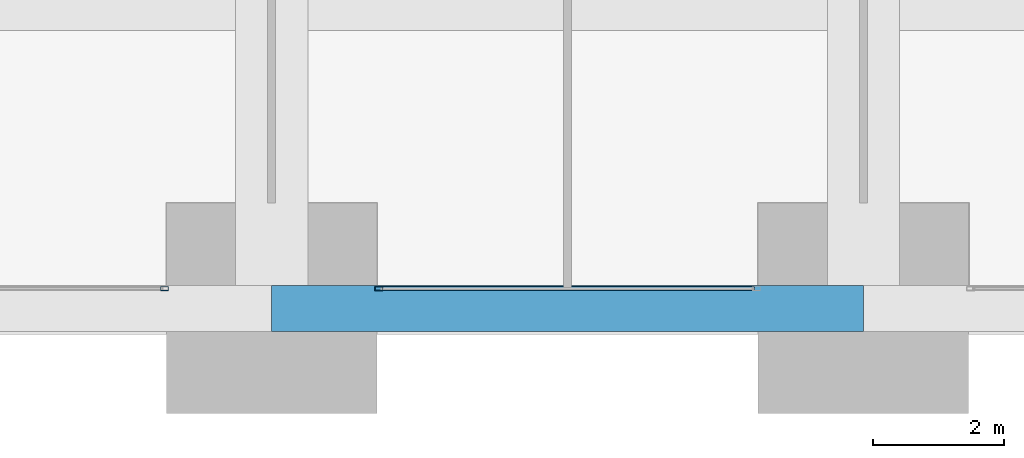
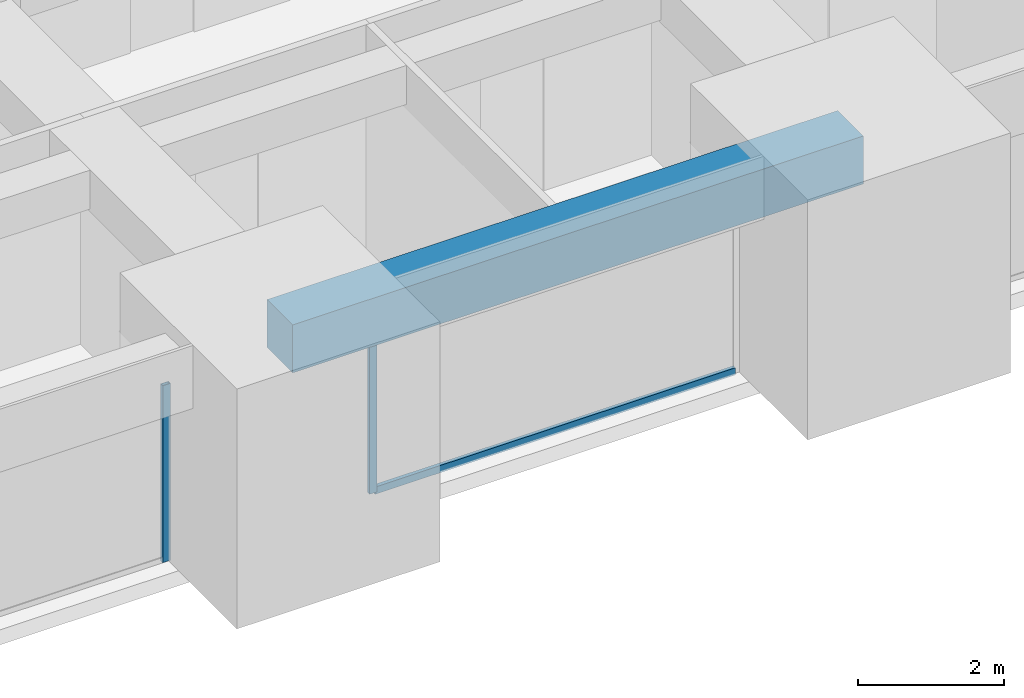
# One storey, part 9 of 43: 3 members, 1 beam, 2 elements without a shape of their own.
"""IFC4 building model written with IfcOpenShell, lengths in metres."""

from ifc_helpers import new_model, si_unit, direction, frame, origin, origin_2d, place, context, subcontext, project, spatial, rectangle, hollow_rectangle, extrude, material, material_profile, profile_set, type_object, element, aggregate, save


model = new_model("IFC4")

# Units and contexts
model_context = context("Model", 3, precision=1e-05, world=origin(), true_north=direction((0.0, 1.0)))
body_context = subcontext(model_context, "Body", "Model", "MODEL_VIEW")
ifc_project = project(units=[si_unit("LENGTHUNIT", "METRE"), si_unit("AREAUNIT", "SQUARE_METRE"), si_unit("VOLUMEUNIT", "CUBIC_METRE"), si_unit("PLANEANGLEUNIT", "RADIAN"), si_unit("MASSUNIT", "GRAM", prefix="KILO")], contexts=[model_context])

# Site, building, storey
site_placement = place(None, origin())
site = spatial("IfcSite", under=ifc_project, at=site_placement, CompositionType="ELEMENT")
building_placement = place(site_placement, origin())
building = spatial("IfcBuilding", under=site, at=building_placement, Name="Zorevar Civic Tower", CompositionType="ELEMENT")
storey_placement = place(building_placement, frame((0.0, 0.0, 243.39990234375)))
storey = spatial("IfcBuildingStorey", under=building, at=storey_placement, Name="L59", CompositionType="ELEMENT", Elevation=243.39990234375)

# Curtain wall, member
ifc_material_1 = material(Name="Dark grey solar-control glass in black aluminium frame", Category="aluminium")
curtain_wall_type = type_object("IfcCurtainWallType", Name="Curtain wall CW5 top zone", PredefinedType="NOTDEFINED", material=ifc_material_1)
curtain_wall_1_placement = place(storey_placement, origin())
curtain_wall_1 = element("IfcCurtainWall", 1, at=curtain_wall_1_placement, inside=storey, type_object=curtain_wall_type, Name="CW5 L59", PredefinedType="NOTDEFINED")
ifc_material_2 = material(Name="Aluminium, black anodised", Category="aluminium")
ifc_material_profile_1 = material_profile(ifc_material_2, hollow_rectangle(XDim=0.06005859375, YDim=0.1201171875, WallThickness=0.0029296875, at=origin_2d()), Name="AL 120x60x3")
ifc_profile_set_1 = profile_set([ifc_material_profile_1], Name="Aluminium, black anodised")
member_type_1 = type_object("IfcMemberType", Name="CW5 mullion AL 120x60x3", PredefinedType="MULLION", material=ifc_profile_set_1)
member_1_placement = place(storey_placement, frame((25.3701171875, 0.300048828125, 0.0), z_axis=(0.0, 0.0, 1.0), x_axis=(0.0, 1.0, 0.0)))
member_1 = element("IfcMember", 2, at=member_1_placement, type_object=member_type_1, Name="CW5 mullion 2", PredefinedType="MULLION", context=body_context, shape_type="SweptSolid", body=[
    extrude(hollow_rectangle(XDim=0.06005859375, YDim=0.1201171875, WallThickness=0.0029296875, at=origin_2d()), origin(), (0.0, 0.0, 1.0), 2.9501953125),
])
aggregate(curtain_wall_1, [member_1])

# Curtain wall, members
curtain_wall_2_placement = place(storey_placement, origin())
curtain_wall_2 = element("IfcCurtainWall", 3, at=curtain_wall_2_placement, inside=storey, type_object=curtain_wall_type, Name="CW5 L59", PredefinedType="NOTDEFINED")
member_2_placement = place(storey_placement, frame((28.6298828125, 0.300048828125, 0.0), z_axis=(0.0, 0.0, 1.0), x_axis=(0.0, 1.0, 0.0)))
member_2 = element("IfcMember", 4, at=member_2_placement, type_object=member_type_1, Name="CW5 mullion 1", PredefinedType="MULLION", context=body_context, shape_type="SweptSolid", body=[
    extrude(hollow_rectangle(XDim=0.06005859375, YDim=0.1201171875, WallThickness=0.0029296875, at=origin_2d()), origin(), (0.0, 0.0, 1.0), 2.9501953125),
])
ifc_material_3 = material(Name="Aluminium, black anodised", Category="aluminium")
ifc_material_profile_2 = material_profile(ifc_material_3, hollow_rectangle(XDim=0.06005859375, YDim=0.1201171875, WallThickness=0.0029296875, at=origin_2d()), Name="AL 120x60x3")
ifc_profile_set_2 = profile_set([ifc_material_profile_2], Name="Aluminium, black anodised")
member_type_2 = type_object("IfcMemberType", Name="CW5 transom AL 120x60x3", PredefinedType="USERDEFINED", material=ifc_profile_set_2)
member_3_placement = place(storey_placement, frame((28.659912109375, 0.300048828125, 0.030029296875), z_axis=(1.0, 0.0, 0.0), x_axis=(0.0, 1.0, 0.0)))
member_3 = element("IfcMember", 5, at=member_3_placement, type_object=member_type_2, Name="CW5 sill transom", ObjectType="TRANSOM", PredefinedType="USERDEFINED", context=body_context, shape_type="SweptSolid", body=[
    extrude(hollow_rectangle(XDim=0.06005859375, YDim=0.1201171875, WallThickness=0.0029296875, at=origin_2d()), origin(), (0.0, 0.0, 1.0), 5.68017578125),
])
aggregate(curtain_wall_2, [member_2, member_3])

# Beam
ifc_material_4 = material(Name="Concrete C50/60", Category="concrete")
ifc_material_profile_3 = material_profile(ifc_material_4, rectangle(XDim=0.699951171875, YDim=0.800048828125, at=origin_2d()), Name="RC 700x800")
ifc_profile_set_3 = profile_set([ifc_material_profile_3], Name="Concrete C50/60")
beam_type = type_object("IfcBeamType", Name="Edge beam RC 700x800", PredefinedType="SPANDREL", material=ifc_profile_set_3)
beam_placement = place(storey_placement, frame((27.0, 0.0, 3.35009765625), z_axis=(1.0, 0.0, 0.0), x_axis=(0.0, 1.0, 0.0)))
element("IfcBeam", 6, at=beam_placement, inside=storey, type_object=beam_type, Name="Edge beam L60", PredefinedType="SPANDREL", context=body_context, shape_type="SweptSolid", body=[
    extrude(rectangle(XDim=0.699951171875, YDim=0.800048828125, at=origin_2d()), origin(), (0.0, 0.0, 1.0), 9.0),
])

save(model, "model.ifc")
